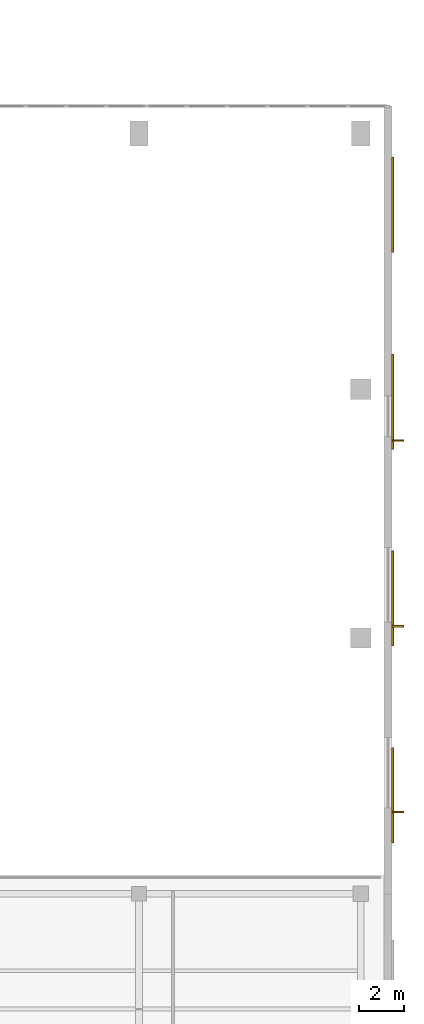
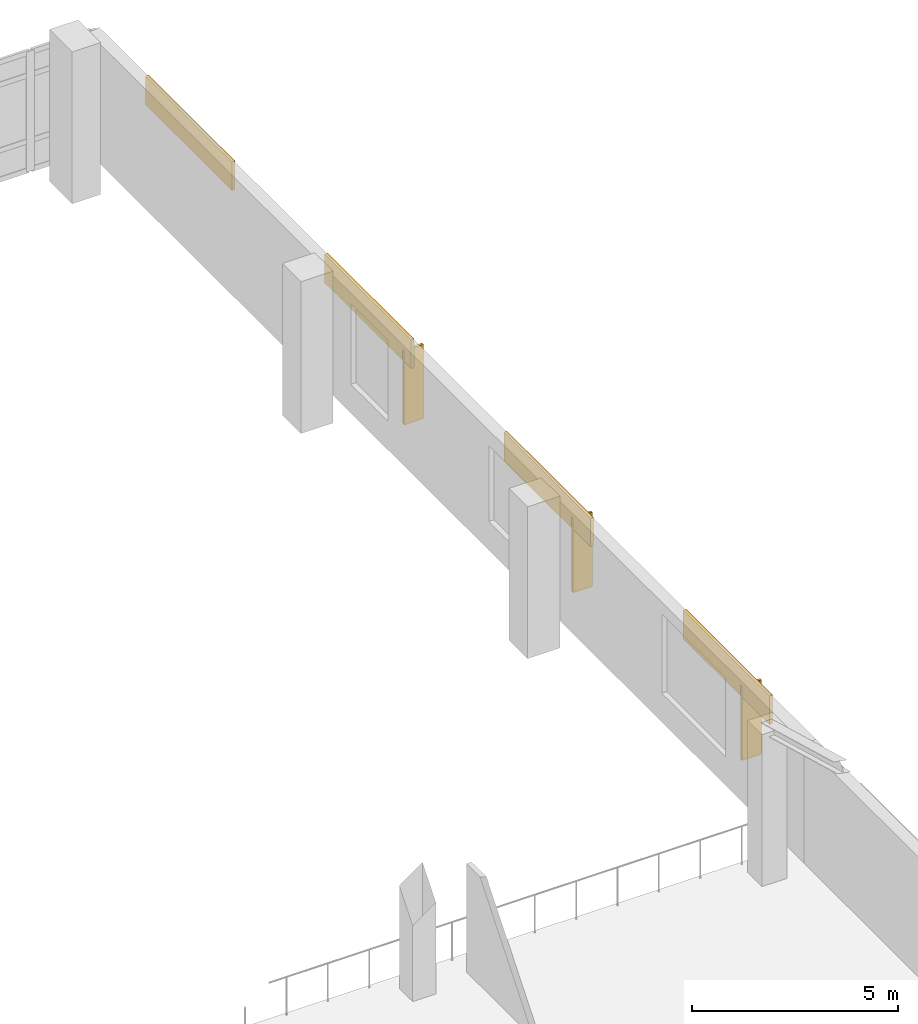
# One storey, part 120 of 120: 4 coverings, 3 shading devices.
"""IFC4 building model written with IfcOpenShell, lengths in metres."""

from ifc_helpers import new_model, si_unit, direction, frame, origin, origin_2d, place, context, subcontext, project, spatial, rectangle, extrude, material, layer, layer_set, type_object, element, save


model = new_model("IFC4")

# Units and contexts
model_context = context("Model", 3, precision=1e-05, world=origin(), true_north=direction((0.0, 1.0)))
body_context = subcontext(model_context, "Body", "Model", "MODEL_VIEW")
ifc_project = project(units=[si_unit("LENGTHUNIT", "METRE"), si_unit("AREAUNIT", "SQUARE_METRE"), si_unit("VOLUMEUNIT", "CUBIC_METRE"), si_unit("PLANEANGLEUNIT", "RADIAN"), si_unit("MASSUNIT", "GRAM", prefix="KILO")], contexts=[model_context])

# Site, building, storey
site_placement = place(None, origin())
site = spatial("IfcSite", under=ifc_project, at=site_placement, CompositionType="ELEMENT")
building_placement = place(site_placement, origin())
building = spatial("IfcBuilding", under=site, at=building_placement, Name="Sohan Crest Arena", CompositionType="ELEMENT")
storey_placement = place(building_placement, frame((0.0, 0.0, 13.5)))
storey = spatial("IfcBuildingStorey", under=building, at=storey_placement, Name="L03", CompositionType="ELEMENT", Elevation=13.5)

# Shading devices
ifc_material_1 = material(Name="Glazed terracotta ceramic solar fin", Category="masonry")
ifc_layer_1 = layer(ifc_material_1, 0.070068359375, Name="Glazed terracotta ceramic solar fin")
ifc_layer_set_1 = layer_set([ifc_layer_1], Name="Glazed terracotta ceramic solar fin")
shading_device_type = type_object("IfcShadingDeviceType", Name="ARC-SHD-FIN1", PredefinedType="USERDEFINED", material=ifc_layer_set_1)
for number, where, z_axis, x_axis, name in (
    (1, (227.43505859375, 80.820068359375, 0.75), (0.0, 0.0, 1.0), (0.0, 1.0, 0.0), "Solar shading fin FIN-031"),
    (2, (227.43505859375, 89.02001953125, 0.75), (0.0, 0.0, 1.0), (0.0, 1.0, 0.0), "Solar shading fin FIN-032"),
    (3, (227.43505859375, 97.219970703125, 0.75), (0.0, 0.0, 1.0), (0.0, 1.0, 0.0), "Solar shading fin FIN-033"),
):
    element("IfcShadingDevice", number, at=place(storey_placement, frame(where, z_axis=z_axis, x_axis=x_axis)), inside=storey, type_object=shading_device_type, Name=name, ObjectType="FIN", PredefinedType="USERDEFINED", context=body_context, shape_type="SweptSolid", body=[
        extrude(rectangle(XDim=0.070068359375, YDim=0.550048828125, at=origin_2d()), origin(), (0.0, 0.0, 1.0), 2.199951171875),
    ])

# Coverings
ifc_material_2 = material(Name="Honed dark basalt stone cladding", Category="masonry")
ifc_layer_2 = layer(ifc_material_2, 0.0849609375, Name="Honed dark basalt stone cladding")
ifc_layer_set_2 = layer_set([ifc_layer_2], Name="Honed dark basalt stone cladding")
covering_type = type_object("IfcCoveringType", Name="COV-BAS", PredefinedType="CLADDING", material=ifc_layer_set_2)
for number, where, z_axis, x_axis, name in (
    (4, (227.20703125, 81.550048828125, 2.625), (0.0, 0.0, 1.0), (0.0, 1.0, 0.0), "Dark basalt facade panel DB-0845"),
    (5, (227.20703125, 90.25, 2.625), (0.0, 0.0, 1.0), (0.0, 1.0, 0.0), "Dark basalt facade panel DB-0846"),
    (6, (227.20703125, 98.949951171875, 2.625), (0.0, 0.0, 1.0), (0.0, 1.0, 0.0), "Dark basalt facade panel DB-0847"),
    (7, (227.20703125, 107.64990234375, 2.625), (0.0, 0.0, 1.0), (0.0, 1.0, 0.0), "Dark basalt facade panel DB-0848"),
):
    element("IfcCovering", number, at=place(storey_placement, frame(where, z_axis=z_axis, x_axis=x_axis)), inside=storey, type_object=covering_type, Name=name, PredefinedType="CLADDING", context=body_context, shape_type="SweptSolid", body=[
        extrude(rectangle(XDim=4.199951171875, YDim=0.0849609375, at=origin_2d()), origin(), (0.0, 0.0, 1.0), 0.85009765625),
    ])

save(model, "model.ifc")
